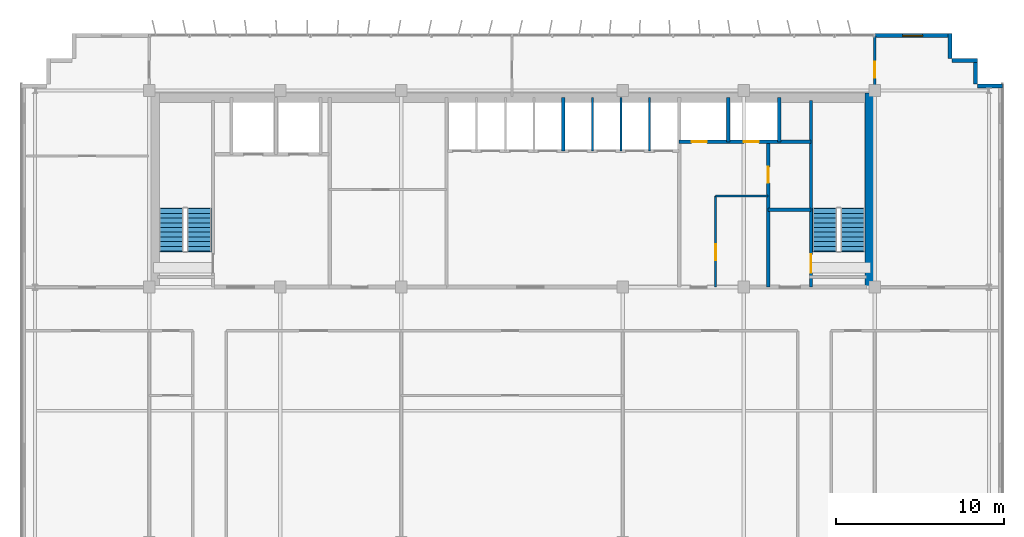
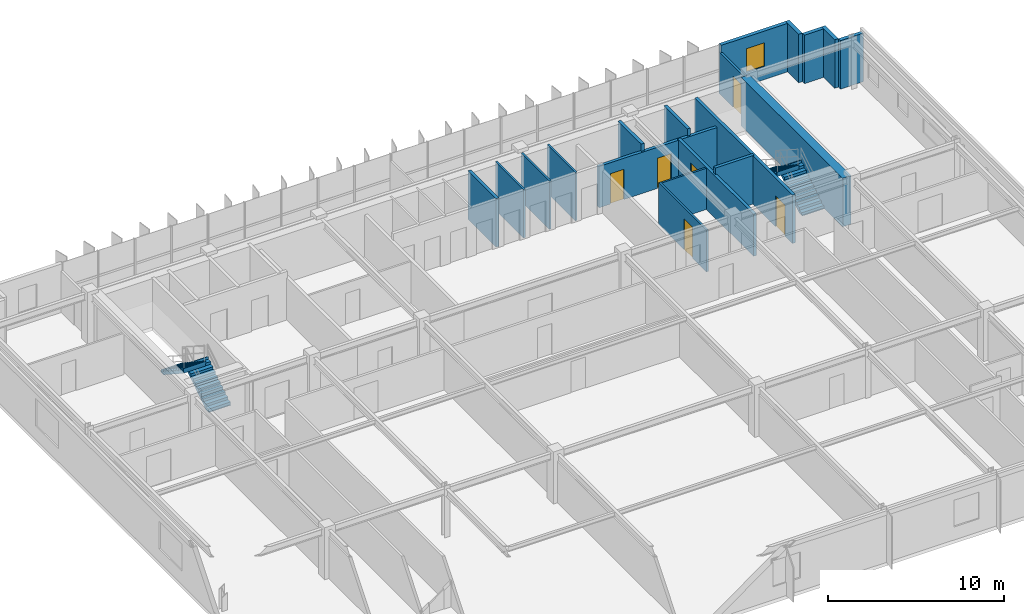
# One storey, part 17 of 19: 19 walls, 6 doors, 4 stair flights, 1 window, 7 openings, 2 elements without a shape of their own.
"""IFC4 building model written with IfcOpenShell, lengths in metres."""

from ifc_helpers import new_model, si_unit, direction, frame, frame_2d, origin, place, context, subcontext, project, spatial, polyline, rectangle, outline, extrude, source, transform, mapped, material, layer, layer_set, type_object, element, fill, aggregate, save


model = new_model("IFC4")

# Units and contexts
model_context = context("Model", 3, precision=1e-05, world=origin(), true_north=direction((0.0, 1.0)))
body_context = subcontext(model_context, "Body", "Model", "MODEL_VIEW")
ifc_project = project(units=[si_unit("LENGTHUNIT", "METRE"), si_unit("AREAUNIT", "SQUARE_METRE"), si_unit("VOLUMEUNIT", "CUBIC_METRE"), si_unit("PLANEANGLEUNIT", "RADIAN"), si_unit("MASSUNIT", "GRAM", prefix="KILO")], contexts=[model_context])

# Site, building, storey
site_placement = place(None, origin())
site = spatial("IfcSite", under=ifc_project, at=site_placement, CompositionType="ELEMENT")
building_placement = place(site_placement, origin())
building = spatial("IfcBuilding", under=site, at=building_placement, Name="Trelvane Seafront Commons", CompositionType="ELEMENT")
storey_placement = place(building_placement, frame((0.0, 0.0, 215.699951171875)))
storey = spatial("IfcBuildingStorey", under=building, at=storey_placement, Name="L56", CompositionType="ELEMENT", Elevation=215.699951171875)

# Wall, opening, window
ifc_material_1 = material(Name="Precast concrete C40/50", Category="concrete")
ifc_layer_1 = layer(ifc_material_1, 0.239990234375, Name="ARCH-WALL-EXT240")
ifc_layer_set_1 = layer_set([ifc_layer_1], Name="Precast concrete C40/50")
wall_type_1 = type_object("IfcWallType", Name="ARCH-WALL-EXT240", PredefinedType="SOLIDWALL", material=ifc_layer_set_1)
wall_1_placement = place(storey_placement, frame((58.800048828125, 48.3701171875, 0.0), z_axis=(0.0, 0.0, 1.0), x_axis=(1.0, 0.0, 0.0)))
wall_1 = element("IfcWall", 1, at=wall_1_placement, inside=storey, type_object=wall_type_1, Name="EW-L56-NE-1121", PredefinedType="SOLIDWALL", context=body_context, shape_type="SweptSolid", body=[
    extrude(rectangle(XDim=4.5, YDim=0.239990234375, at=frame_2d((2.25, 0.0))), origin(), (0.0, 0.0, 1.0), 3.360107421875),
])
opening_1_placement = place(wall_1_placement, frame((1.64990234375, 0.0, 0.89990234375)))
opening_1 = element("IfcOpeningElement", 2, at=opening_1_placement, cuts=wall_1, Name="Opening W05", PredefinedType="OPENING", context=body_context, shape_type="SweptSolid", body=[
    extrude(rectangle(XDim=1.199951171875, YDim=1.64990234375, at=frame_2d((0.60009765625, 0.824951171875))), frame((0.0, 0.1298828125, 0.0), z_axis=(0.0, -1.0, 0.0), x_axis=(1.0, 0.0, 0.0)), (0.0, 0.0, 1.0), 0.260009765625),
])
ifc_material_2 = material(Name="Low-E coastal double glazing", Category="glass")
window_type = type_object("IfcWindowType", Name="ARCH-WIN-W05", PartitioningType="SINGLE_PANEL", PredefinedType="WINDOW", material=ifc_material_2)
shared_shape_1 = source(origin(), body_context, "Body", "SweptSolid", [
    extrude(rectangle(XDim=1.199951171875, YDim=1.64990234375, at=frame_2d((0.60009765625, 0.824951171875))), frame((0.0, 0.030029296875, 0.0), z_axis=(0.0, -1.0, 0.0), x_axis=(1.0, 0.0, 0.0)), (0.0, 0.0, 1.0), 0.06005859375),
])
window_placement = place(opening_1_placement, origin())
window = element("IfcWindow", 3, at=window_placement, inside=storey, type_object=window_type, Name="WIN-L56-01359", OverallHeight=1.64990234375, OverallWidth=1.199951171875, PartitioningType="SINGLE_PANEL", PredefinedType="WINDOW", context=body_context, shape_type="MappedRepresentation", body=[
    mapped(shared_shape_1, transform((0.0, 0.0, 0.0), x_axis=(1.0, 0.0, 0.0), y_axis=(0.0, 1.0, 0.0), z_axis=(0.0, 0.0, 1.0), scale=1.0)),
])
fill(opening_1, window)

# Walls
for number, where, z_axis, x_axis, name in (
    (4, (63.280029296875, 48.5, 0.0), (0.0, 0.0, 1.0), (0.0, -1.0, 0.0), "EW-L56-01130"),
    (5, (63.39990234375, 46.8798828125, 0.0), (0.0, 0.0, 1.0), (1.0, 0.0, 0.0), "EW-L56-01131"),
    (6, (64.780029296875, 47.0, 0.0), (0.0, 0.0, 1.0), (0.0, -1.0, 0.0), "EW-L56-01132"),
    (7, (64.89990234375, 45.3798828125, 0.0), (0.0, 0.0, 1.0), (1.0, 0.0, 0.0), "EW-L56-01133"),
):
    element("IfcWall", number, at=place(storey_placement, frame(where, z_axis=z_axis, x_axis=x_axis)), inside=storey, type_object=wall_type_1, Name=name, PredefinedType="SOLIDWALL", context=body_context, shape_type="SweptSolid", body=[
        extrude(rectangle(XDim=1.5, YDim=0.239990234375, at=frame_2d((0.75, 0.0))), origin(), (0.0, 0.0, 1.0), 3.360107421875),
    ])

# Wall, opening, door
ifc_material_3 = material(Name="Concrete C40/50", Category="concrete")
ifc_layer_2 = layer(ifc_material_3, 0.199951171875, Name="ARCH-WALL-FIRE200")
ifc_layer_set_2 = layer_set([ifc_layer_2], Name="Concrete C40/50")
wall_type_2 = type_object("IfcWallType", Name="ARCH-WALL-FIRE200", PredefinedType="PARTITIONING", material=ifc_layer_set_2)
wall_2_placement = place(storey_placement, frame((52.449951171875, 33.39990234375, 0.0), z_axis=(0.0, 0.0, 1.0), x_axis=(0.0, 1.0, 0.0)))
wall_2 = element("IfcWall", 8, at=wall_2_placement, inside=storey, type_object=wall_type_2, Name="W-L56-ST2V-W-031", PredefinedType="PARTITIONING", context=body_context, shape_type="SweptSolid", body=[
    extrude(rectangle(XDim=8.650146484375, YDim=0.199951171875, at=frame_2d((4.3251953125, 0.0))), origin(), (0.0, 0.0, 1.0), 2.91015625),
])
opening_2_placement = place(wall_2_placement, frame((6.199951171875, 0.0, 0.0)))
opening_2 = element("IfcOpeningElement", 9, at=opening_2_placement, cuts=wall_2, Name="Opening FD-L56-19", PredefinedType="OPENING", context=body_context, shape_type="SweptSolid", body=[
    extrude(rectangle(XDim=0.949951171875, YDim=2.14990234375, at=frame_2d((0.47509765625, 1.074951171875))), frame((0.0, 0.10986328125, 0.0), z_axis=(0.0, -1.0, 0.0), x_axis=(1.0, 0.0, 0.0)), (0.0, 0.0, 1.0), 0.219970703125),
])
ifc_material_4 = material(Name="Powder-coated aluminium frame", Category="aluminium")
door_type_1 = type_object("IfcDoorType", Name="ARCH-DR-FD60-950", OperationType="NOTDEFINED", PredefinedType="DOOR", material=ifc_material_4)
shared_shape_2 = source(origin(), body_context, "Body", "SweptSolid", [
    extrude(rectangle(XDim=0.949951171875, YDim=2.14990234375, at=frame_2d((0.47509765625, 1.074951171875))), frame((0.0, 0.02490234375, 0.0), z_axis=(0.0, -1.0, 0.0), x_axis=(1.0, 0.0, 0.0)), (0.0, 0.0, 1.0), 0.050048828125),
])
door_1_placement = place(opening_2_placement, origin())
door_1 = element("IfcDoor", 10, at=door_1_placement, inside=storey, type_object=door_type_1, Name="L56 Cleaner Store Door", OperationType="SINGLE_SWING_LEFT", OverallHeight=2.14990234375, OverallWidth=0.949951171875, PredefinedType="DOOR", context=body_context, shape_type="MappedRepresentation", body=[
    mapped(shared_shape_2, transform((0.0, 0.0, 0.0), x_axis=(1.0, 0.0, 0.0), y_axis=(0.0, 1.0, 0.0), z_axis=(0.0, 0.0, 1.0), scale=1.0)),
])
fill(opening_2, door_1)

# Walls
wall_3_placement = place(storey_placement, frame((52.449951171875, 38.0, 0.0), z_axis=(0.0, 0.0, 1.0), x_axis=(1.0, 0.0, 0.0)))
element("IfcWall", 11, at=wall_3_placement, inside=storey, type_object=wall_type_2, Name="W-L56-ST2V-N-032", PredefinedType="PARTITIONING", context=body_context, shape_type="SweptSolid", body=[
    extrude(rectangle(XDim=2.550048828125, YDim=0.199951171875, at=frame_2d((1.27490234375, 0.0))), origin(), (0.0, 0.0, 1.0), 3.360107421875),
])
ifc_material_5 = material(Name="Gypsum Drywall Acoustic Partition")
ifc_layer_3 = layer(ifc_material_5, 0.1201171875, Name="ARCH-WALL-PART120")
ifc_layer_set_3 = layer_set([ifc_layer_3], Name="Gypsum Drywall Acoustic Partition")
wall_type_3 = type_object("IfcWallType", Name="ARCH-WALL-PART120", PredefinedType="PARTITIONING", material=ifc_layer_set_3)
for number, where, z_axis, x_axis, name in (
    (12, (42.0, 41.5, 0.0), (0.0, 0.0, 1.0), (0.0, 1.0, 0.0), "W-L56-PH-DIV1-022"),
    (13, (43.699951171875, 41.5, 0.0), (0.0, 0.0, 1.0), (0.0, 1.0, 0.0), "W-L56-PH-DIV2-023"),
    (14, (45.39990234375, 41.5, 0.0), (0.0, 0.0, 1.0), (0.0, 1.0, 0.0), "W-L56-PH-DIV3-024"),
):
    element("IfcWall", number, at=place(storey_placement, frame(where, z_axis=z_axis, x_axis=x_axis)), inside=storey, type_object=wall_type_3, Name=name, PredefinedType="PARTITIONING", context=body_context, shape_type="SweptSolid", body=[
        extrude(rectangle(XDim=3.199951171875, YDim=0.1201171875, at=frame_2d((1.60009765625, 0.0))), origin(), (0.0, 0.0, 1.0), 3.360107421875),
    ])

# Wall, opening, door
wall_4_placement = place(storey_placement, frame((49.320068359375, 33.39990234375, 0.0), z_axis=(0.0, 0.0, 1.0), x_axis=(0.0, 1.0, 0.0)))
wall_4 = element("IfcWall", 15, at=wall_4_placement, inside=storey, type_object=wall_type_3, Name="W-L56-CYC2-V-033", PredefinedType="PARTITIONING", context=body_context, shape_type="SweptSolid", body=[
    extrude(rectangle(XDim=5.420166015625, YDim=0.1201171875, at=frame_2d((2.7099609375, 0.0))), origin(), (0.0, 0.0, 1.0), 2.91015625),
])
opening_3_placement = place(wall_4_placement, frame((1.60009765625, 0.0, 0.0)))
opening_3 = element("IfcOpeningElement", 16, at=opening_3_placement, cuts=wall_4, Name="Opening D-L56-20", PredefinedType="OPENING", context=body_context, shape_type="SweptSolid", body=[
    extrude(rectangle(XDim=0.949951171875, YDim=2.14990234375, at=frame_2d((0.47509765625, 1.074951171875))), frame((0.0, 0.070068359375, 0.0), z_axis=(0.0, -1.0, 0.0), x_axis=(1.0, 0.0, 0.0)), (0.0, 0.0, 1.0), 0.14013671875),
])
ifc_material_6 = material(Name="Acoustic timber door leaf", Category="wood")
door_type_2 = type_object("IfcDoorType", Name="ARCH-DR-INT950", OperationType="NOTDEFINED", PredefinedType="DOOR", material=ifc_material_6)
door_2_placement = place(opening_3_placement, origin())
door_2 = element("IfcDoor", 17, at=door_2_placement, inside=storey, type_object=door_type_2, Name="L56 Accessible WC Door", OperationType="SINGLE_SWING_RIGHT", OverallHeight=2.14990234375, OverallWidth=0.949951171875, PredefinedType="DOOR", context=body_context, shape_type="MappedRepresentation", body=[
    mapped(shared_shape_2, transform((0.0, 0.0, 0.0), x_axis=(1.0, 0.0, 0.0), y_axis=(0.0, 1.0, 0.0), z_axis=(0.0, 0.0, 1.0), scale=1.0)),
])
fill(opening_3, door_2)

# Wall
wall_5_placement = place(storey_placement, frame((49.320068359375, 38.820068359375, 0.0), z_axis=(0.0, 0.0, 1.0), x_axis=(1.0, 0.0, 0.0)))
element("IfcWall", 18, at=wall_5_placement, inside=storey, type_object=wall_type_3, Name="W-L56-CYC2-H-034", PredefinedType="PARTITIONING", context=body_context, shape_type="SweptSolid", body=[
    extrude(rectangle(XDim=3.1298828125, YDim=0.1201171875, at=frame_2d((1.56494140625, 0.0))), origin(), (0.0, 0.0, 1.0), 2.860107421875),
])

# Wall, opening, door
ifc_layer_4 = layer(ifc_material_5, 0.14990234375, Name="ARCH-WALL-PART150")
ifc_layer_set_4 = layer_set([ifc_layer_4], Name="Gypsum Drywall Acoustic Partition")
wall_type_4 = type_object("IfcWallType", Name="ARCH-WALL-PART150", PredefinedType="PARTITIONING", material=ifc_layer_set_4)
wall_6_placement = place(storey_placement, frame((58.800048828125, 44.75, 0.0), z_axis=(0.0, 0.0, 1.0), x_axis=(0.0, 1.0, 0.0)))
wall_6 = element("IfcWall", 19, at=wall_6_placement, inside=storey, type_object=wall_type_4, Name="W-L56-N-LINK-E-041", PredefinedType="PARTITIONING", context=body_context, shape_type="SweptSolid", body=[
    extrude(rectangle(XDim=3.610107421875, YDim=0.14990234375, at=frame_2d((1.80517578125, 0.0))), origin(), (0.0, 0.0, 1.0), 2.860107421875),
])
opening_4_placement = place(wall_6_placement, frame((1.10009765625, 0.0, 0.0)))
opening_4 = element("IfcOpeningElement", 20, at=opening_4_placement, cuts=wall_6, Name="Opening FD-L56-28", PredefinedType="OPENING", context=body_context, shape_type="SweptSolid", body=[
    extrude(rectangle(XDim=0.949951171875, YDim=2.14990234375, at=frame_2d((0.47509765625, 1.074951171875))), frame((0.0, 0.0849609375, 0.0), z_axis=(0.0, -1.0, 0.0), x_axis=(1.0, 0.0, 0.0)), (0.0, 0.0, 1.0), 0.169921875),
])
door_3_placement = place(opening_4_placement, origin())
door_3 = element("IfcDoor", 21, at=door_3_placement, inside=storey, type_object=door_type_1, Name="L56 Door 28", OperationType="SINGLE_SWING_RIGHT", OverallHeight=2.14990234375, OverallWidth=0.949951171875, PredefinedType="DOOR", context=body_context, shape_type="MappedRepresentation", body=[
    mapped(shared_shape_2, transform((0.0, 0.0, 0.0), x_axis=(1.0, 0.0, 0.0), y_axis=(0.0, 1.0, 0.0), z_axis=(0.0, 0.0, 1.0), scale=1.0)),
])
fill(opening_4, door_3)

# Wall
ifc_layer_5 = layer(ifc_material_3, 0.199951171875, Name="ARCH-WALL-SHAFT200")
ifc_layer_set_5 = layer_set([ifc_layer_5], Name="Concrete C40/50")
wall_type_5 = type_object("IfcWallType", Name="ARCH-WALL-SHAFT200", PredefinedType="SOLIDWALL", material=ifc_layer_set_5)
wall_7_placement = place(storey_placement, frame((40.25, 41.5, 0.0), z_axis=(0.0, 0.0, 1.0), x_axis=(0.0, 1.0, 0.0)))
element("IfcWall", 22, at=wall_7_placement, inside=storey, type_object=wall_type_5, Name="W-L56-PH-WEST-SH-021", PredefinedType="SOLIDWALL", context=body_context, shape_type="SweptSolid", body=[
    extrude(rectangle(XDim=3.199951171875, YDim=0.199951171875, at=frame_2d((1.60009765625, 0.0))), origin(), (0.0, 0.0, 1.0), 3.360107421875),
])

# Wall, openings, doors
wall_8_placement = place(storey_placement, frame((47.14990234375, 42.050048828125, 0.0), z_axis=(0.0, 0.0, 1.0), x_axis=(1.0, 0.0, 0.0)))
wall_8 = element("IfcWall", 23, at=wall_8_placement, inside=storey, type_object=wall_type_5, Name="W-L56-RSR-S-028", PredefinedType="SOLIDWALL", context=body_context, shape_type="SweptSolid", body=[
    extrude(rectangle(XDim=7.85009765625, YDim=0.199951171875, at=frame_2d((3.925048828125, 0.0))), origin(), (0.0, 0.0, 1.0), 2.860107421875),
])
opening_5_placement = place(wall_8_placement, frame((0.75, 0.0, 0.0)))
opening_5 = element("IfcOpeningElement", 24, at=opening_5_placement, cuts=wall_8, Name="Opening FD-L56-17", PredefinedType="OPENING", context=body_context, shape_type="SweptSolid", body=[
    extrude(rectangle(XDim=0.89990234375, YDim=2.10009765625, at=frame_2d((0.449951171875, 1.050048828125))), frame((0.0, 0.10986328125, 0.0), z_axis=(0.0, -1.0, 0.0), x_axis=(1.0, 0.0, 0.0)), (0.0, 0.0, 1.0), 0.219970703125),
])
opening_6_placement = place(wall_8_placement, frame((3.85009765625, 0.0, 0.0)))
opening_6 = element("IfcOpeningElement", 25, at=opening_6_placement, cuts=wall_8, Name="Opening FD-L56-18", PredefinedType="OPENING", context=body_context, shape_type="SweptSolid", body=[
    extrude(rectangle(XDim=0.89990234375, YDim=2.10009765625, at=frame_2d((0.449951171875, 1.050048828125))), frame((0.0, 0.10986328125, 0.0), z_axis=(0.0, -1.0, 0.0), x_axis=(1.0, 0.0, 0.0)), (0.0, 0.0, 1.0), 0.219970703125),
])
door_type_3 = type_object("IfcDoorType", Name="ARCH-DR-FD60-900", OperationType="NOTDEFINED", PredefinedType="DOOR", material=ifc_material_4)
shared_shape_3 = source(origin(), body_context, "Body", "SweptSolid", [
    extrude(rectangle(XDim=0.89990234375, YDim=2.10009765625, at=frame_2d((0.449951171875, 1.050048828125))), frame((0.0, 0.02490234375, 0.0), z_axis=(0.0, -1.0, 0.0), x_axis=(1.0, 0.0, 0.0)), (0.0, 0.0, 1.0), 0.050048828125),
])
door_4_placement = place(opening_5_placement, origin())
door_4 = element("IfcDoor", 26, at=door_4_placement, inside=storey, type_object=door_type_3, Name="L56 Electrical Riser Access Door", OperationType="SINGLE_SWING_LEFT", OverallHeight=2.10009765625, OverallWidth=0.89990234375, PredefinedType="DOOR", context=body_context, shape_type="MappedRepresentation", body=[
    mapped(shared_shape_3, transform((0.0, 0.0, 0.0), x_axis=(1.0, 0.0, 0.0), y_axis=(0.0, 1.0, 0.0), z_axis=(0.0, 0.0, 1.0), scale=1.0)),
])
fill(opening_5, door_4)
door_5_placement = place(opening_6_placement, origin())
door_5 = element("IfcDoor", 27, at=door_5_placement, inside=storey, type_object=door_type_3, Name="L56 Mechanical Riser Access Door", OperationType="SINGLE_SWING_RIGHT", OverallHeight=2.10009765625, OverallWidth=0.89990234375, PredefinedType="DOOR", context=body_context, shape_type="MappedRepresentation", body=[
    mapped(shared_shape_3, transform((0.0, 0.0, 0.0), x_axis=(1.0, 0.0, 0.0), y_axis=(0.0, 1.0, 0.0), z_axis=(0.0, 0.0, 1.0), scale=1.0)),
])
fill(opening_6, door_5)

# Walls
for number, where, z_axis, x_axis, name in (
    (28, (50.080078125, 42.050048828125, 0.0), (0.0, 0.0, 1.0), (0.0, 1.0, 0.0), "W-L56-RSR-DIV-029"),
    (29, (53.10009765625, 42.050048828125, 0.0), (0.0, 0.0, 1.0), (0.0, 1.0, 0.0), "W-L56-RSR-E-030"),
):
    element("IfcWall", number, at=place(storey_placement, frame(where, z_axis=z_axis, x_axis=x_axis)), inside=storey, type_object=wall_type_5, Name=name, PredefinedType="SOLIDWALL", context=body_context, shape_type="SweptSolid", body=[
        extrude(rectangle(XDim=2.64990234375, YDim=0.199951171875, at=frame_2d((1.324951171875, 0.0))), origin(), (0.0, 0.0, 1.0), 3.360107421875),
    ])
ifc_material_7 = material(Name="Concrete C50/60", Category="concrete")
ifc_layer_6 = layer(ifc_material_7, 0.550048828125, Name="STR-WALL-CORE550")
ifc_layer_set_6 = layer_set([ifc_layer_6], Name="Concrete C50/60")
wall_type_6 = type_object("IfcWallType", Name="STR-WALL-CORE550", PredefinedType="SHEAR", material=ifc_layer_set_6)
wall_9_placement = place(storey_placement, frame((58.47509765625, 33.39990234375, 0.0), z_axis=(0.0, 0.0, 1.0), x_axis=(0.0, 1.0, 0.0)))
element("IfcWall", 30, at=wall_9_placement, inside=storey, type_object=wall_type_6, Name="W-L56-CE-END-003", PredefinedType="SHEAR", context=body_context, shape_type="SweptSolid", body=[
    extrude(rectangle(XDim=11.550048828125, YDim=0.550048828125, at=frame_2d((5.77490234375, 0.0))), origin(), (0.0, 0.0, 1.0), 3.360107421875),
])

# Wall, opening, door
ifc_layer_7 = layer(ifc_material_7, 0.199951171875, Name="STR-WALL-STAIR200")
ifc_layer_set_7 = layer_set([ifc_layer_7], Name="Concrete C50/60")
wall_type_7 = type_object("IfcWallType", Name="STR-WALL-STAIR200", PredefinedType="SHEAR", material=ifc_layer_set_7)
wall_10_placement = place(storey_placement, frame((55.0, 33.39990234375, 0.0), z_axis=(0.0, 0.0, 1.0), x_axis=(0.0, 1.0, 0.0)))
wall_10 = element("IfcWall", 31, at=wall_10_placement, inside=storey, type_object=wall_type_7, Name="W-L56-ST2-W-007", PredefinedType="SHEAR", context=body_context, shape_type="SweptSolid", body=[
    extrude(rectangle(XDim=11.10009765625, YDim=0.199951171875, at=frame_2d((5.550048828125, 0.0))), origin(), (0.0, 0.0, 1.0), 3.360107421875),
])
opening_7_placement = place(wall_10_placement, frame((0.85009765625, 0.0, 0.0)))
opening_7 = element("IfcOpeningElement", 32, at=opening_7_placement, cuts=wall_10, Name="Opening ST-D2-L56", PredefinedType="OPENING", context=body_context, shape_type="SweptSolid", body=[
    extrude(rectangle(XDim=1.10009765625, YDim=2.14990234375, at=frame_2d((0.550048828125, 1.074951171875))), frame((0.0, 0.10986328125, 0.0), z_axis=(0.0, -1.0, 0.0), x_axis=(1.0, 0.0, 0.0)), (0.0, 0.0, 1.0), 0.219970703125),
])
door_type_4 = type_object("IfcDoorType", Name="ARCH-DR-FD90-1100", OperationType="NOTDEFINED", PredefinedType="DOOR", material=ifc_material_4)
shared_shape_4 = source(origin(), body_context, "Body", "SweptSolid", [
    extrude(rectangle(XDim=1.10009765625, YDim=2.14990234375, at=frame_2d((0.550048828125, 1.074951171875))), frame((0.0, 0.02490234375, 0.0), z_axis=(0.0, -1.0, 0.0), x_axis=(1.0, 0.0, 0.0)), (0.0, 0.0, 1.0), 0.050048828125),
])
door_6_placement = place(opening_7_placement, origin())
door_6 = element("IfcDoor", 33, at=door_6_placement, inside=storey, type_object=door_type_4, Name="L56 Stair ST-2 Vestibule Fire Door", OperationType="SINGLE_SWING_RIGHT", OverallHeight=2.14990234375, OverallWidth=1.10009765625, PredefinedType="DOOR", context=body_context, shape_type="MappedRepresentation", body=[
    mapped(shared_shape_4, transform((0.0, 0.0, 0.0), x_axis=(1.0, 0.0, 0.0), y_axis=(0.0, 1.0, 0.0), z_axis=(0.0, 0.0, 1.0), scale=1.0)),
])
fill(opening_7, door_6)

# Stair, stair flights
stair_type_1 = type_object("IfcStairType", Name="ARCH-STR-ST-1-R20-180", PredefinedType="HALF_TURN_STAIR", material=ifc_material_3)
stair_1_placement = place(storey_placement, origin())
stair_1 = element("IfcStair", 34, at=stair_1_placement, inside=storey, type_object=stair_type_1, Name="L56 West Protected Firefighting Exit Stair ST-1", PredefinedType="HALF_TURN_STAIR")
stair_flight_type_1 = type_object("IfcStairFlightType", Name="ARCH-FLG-ST-1-R20-180", PredefinedType="STRAIGHT", material=ifc_material_3)
shared_shape_5 = source(origin(), body_context, "Body", "SweptSolid", [
    extrude(outline(polyline([(-0.050048828125, -0.02001953125), (-0.050048828125, 0.0), (0.0, 0.0), (0.0, 0.179931640625), (0.280029296875, 0.179931640625), (0.280029296875, 0.360107421875), (0.56005859375, 0.360107421875), (0.56005859375, 0.5400390625), (0.840087890625, 0.5400390625), (0.840087890625, 0.719970703125), (1.1201171875, 0.719970703125), (1.1201171875, 0.89990234375), (1.39990234375, 0.89990234375), (1.39990234375, 1.080078125), (1.679931640625, 1.080078125), (1.679931640625, 1.260009765625), (1.9599609375, 1.260009765625), (1.9599609375, 1.43994140625), (2.239990234375, 1.43994140625), (2.239990234375, 1.6201171875), (2.52001953125, 1.6201171875), (2.52001953125, 1.800048828125), (2.570068359375, 1.800048828125), (2.570068359375, 1.650146484375), (2.52001953125, 1.44189453125), (0.277099609375, -0.02001953125), (-0.050048828125, -0.02001953125)])), frame((0.0, 0.72509765625, 0.0), z_axis=(0.0, -1.0, 0.0), x_axis=(1.0, 0.0, 0.0)), (0.0, 0.0, 1.0), 1.449951171875),
])
stair_flight_1_placement = place(storey_placement, frame((18.574951171875, 35.550048828125, 0.0), z_axis=(0.0, 0.0, 1.0), x_axis=(0.0, 1.0, 0.0)))
stair_flight_1 = element("IfcStairFlight", 35, at=stair_flight_1_placement, type_object=stair_flight_type_1, Name="ST-1 flight 1", NumberOfRisers=10, NumberOfTreads=9, PredefinedType="STRAIGHT", RiserHeight=0.18, TreadLength=0.28, context=body_context, shape_type="MappedRepresentation", body=[
    mapped(shared_shape_5, transform((0.0, 0.0, 0.0), x_axis=(1.0, 0.0, 0.0), y_axis=(0.0, 1.0, 0.0), z_axis=(0.0, 0.0, 1.0), scale=1.0)),
])
stair_flight_2_placement = place(storey_placement, frame((16.925048828125, 38.070068359375, 1.800048828125), z_axis=(0.0, 0.0, 1.0), x_axis=(0.0, -1.0, 0.0)))
stair_flight_2 = element("IfcStairFlight", 36, at=stair_flight_2_placement, type_object=stair_flight_type_1, Name="ST-1 flight 2", NumberOfRisers=10, NumberOfTreads=9, PredefinedType="STRAIGHT", RiserHeight=0.18, TreadLength=0.28, context=body_context, shape_type="MappedRepresentation", body=[
    mapped(shared_shape_5, transform((0.0, 0.0, 0.0), x_axis=(1.0, 0.0, 0.0), y_axis=(0.0, 1.0, 0.0), z_axis=(0.0, 0.0, 1.0), scale=1.0)),
])
aggregate(stair_1, [stair_flight_1, stair_flight_2])

stair_type_2 = type_object("IfcStairType", Name="ARCH-STR-ST-2-R20-180", PredefinedType="HALF_TURN_STAIR", material=ifc_material_3)
stair_2_placement = place(storey_placement, origin())
stair_2 = element("IfcStair", 37, at=stair_2_placement, inside=storey, type_object=stair_type_2, Name="L56 East Protected Firefighting Exit Stair ST-2", PredefinedType="HALF_TURN_STAIR")
stair_flight_type_2 = type_object("IfcStairFlightType", Name="ARCH-FLG-ST-2-R20-180", PredefinedType="STRAIGHT", material=ifc_material_3)
stair_flight_3_placement = place(storey_placement, frame((57.47509765625, 35.550048828125, 0.0), z_axis=(0.0, 0.0, 1.0), x_axis=(0.0, 1.0, 0.0)))
stair_flight_3 = element("IfcStairFlight", 38, at=stair_flight_3_placement, type_object=stair_flight_type_2, Name="ST-2 flight 1", NumberOfRisers=10, NumberOfTreads=9, PredefinedType="STRAIGHT", RiserHeight=0.18, TreadLength=0.28, context=body_context, shape_type="MappedRepresentation", body=[
    mapped(shared_shape_5, transform((0.0, 0.0, 0.0), x_axis=(1.0, 0.0, 0.0), y_axis=(0.0, 1.0, 0.0), z_axis=(0.0, 0.0, 1.0), scale=1.0)),
])
stair_flight_4_placement = place(storey_placement, frame((55.824951171875, 38.070068359375, 1.800048828125), z_axis=(0.0, 0.0, 1.0), x_axis=(0.0, -1.0, 0.0)))
stair_flight_4 = element("IfcStairFlight", 39, at=stair_flight_4_placement, type_object=stair_flight_type_2, Name="ST-2 flight 2", NumberOfRisers=10, NumberOfTreads=9, PredefinedType="STRAIGHT", RiserHeight=0.18, TreadLength=0.28, context=body_context, shape_type="MappedRepresentation", body=[
    mapped(shared_shape_5, transform((0.0, 0.0, 0.0), x_axis=(1.0, 0.0, 0.0), y_axis=(0.0, 1.0, 0.0), z_axis=(0.0, 0.0, 1.0), scale=1.0)),
])
aggregate(stair_2, [stair_flight_3, stair_flight_4])

save(model, "model.ifc")
